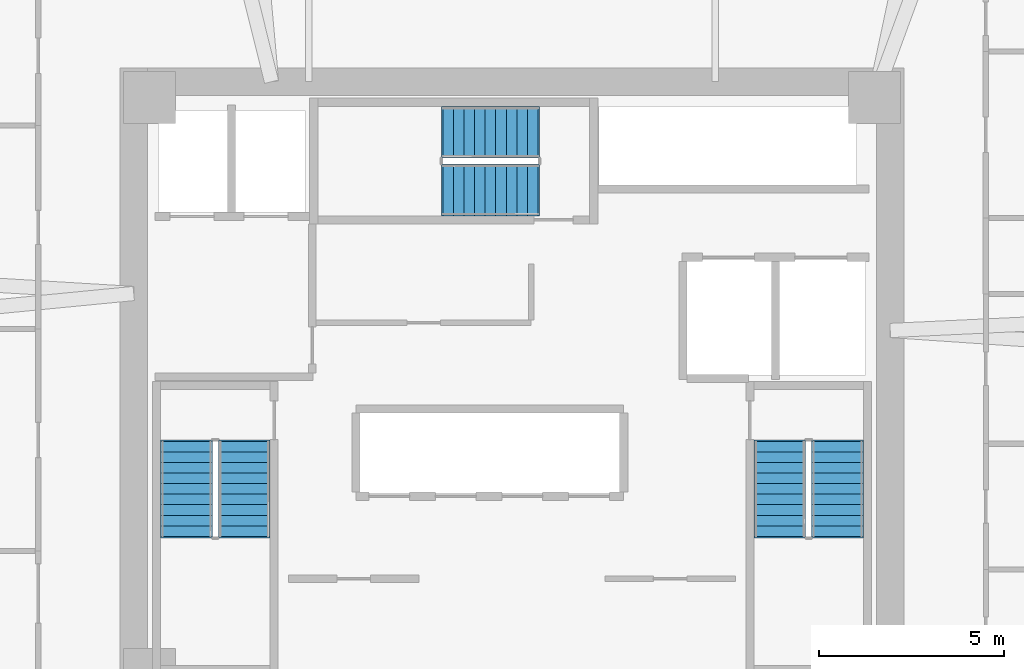
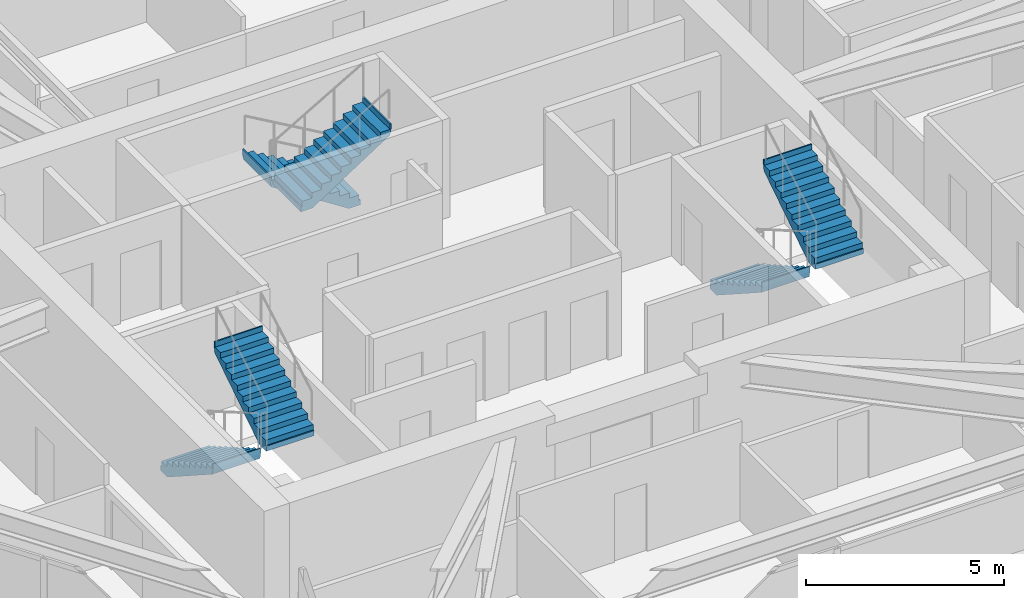
# One storey, part 13 of 14: 6 stair flights, 3 elements without a shape of their own.
"""IFC4 building model written with IfcOpenShell, lengths in metres."""

from ifc_helpers import new_model, si_unit, direction, frame, origin, place, context, subcontext, project, spatial, polyline, outline, extrude, material, type_object, element, aggregate, save


model = new_model("IFC4")

# Units and contexts
model_context = context("Model", 3, precision=1e-05, world=origin(), true_north=direction((0.0, 1.0)))
body_context = subcontext(model_context, "Body", "Model", "MODEL_VIEW")
ifc_project = project(units=[si_unit("LENGTHUNIT", "METRE"), si_unit("AREAUNIT", "SQUARE_METRE"), si_unit("VOLUMEUNIT", "CUBIC_METRE"), si_unit("PLANEANGLEUNIT", "RADIAN"), si_unit("MASSUNIT", "GRAM", prefix="KILO")], contexts=[model_context])

# Site, building, storey
site_placement = place(None, origin())
site = spatial("IfcSite", under=ifc_project, at=site_placement, CompositionType="ELEMENT")
building_placement = place(site_placement, origin())
building = spatial("IfcBuilding", under=site, at=building_placement, Name="Durnholm Broadcast Tower", CompositionType="ELEMENT")
storey_placement = place(building_placement, frame((0.0, 0.0, 114.0)))
storey = spatial("IfcBuildingStorey", under=building, at=storey_placement, Name="L30", CompositionType="ELEMENT", Elevation=114.0)

# Stair, stair flights
ifc_material = material(Name="Concrete C50/60", Category="concrete")
stair_type = type_object("IfcStairType", Name="STAIR-DL-20R1650", PredefinedType="HALF_TURN_STAIR", material=ifc_material)
stair_1_placement = place(storey_placement, origin())
stair_1 = element("IfcStair", 1, at=stair_1_placement, inside=storey, type_object=stair_type, Name="L30 ST-1", PredefinedType="HALF_TURN_STAIR")
stair_flight_type = type_object("IfcStairFlightType", Name="FLIGHT-DL-20R1650", PredefinedType="STRAIGHT", material=ifc_material)
stair_flight_1_placement = place(storey_placement, frame((-8.800048828125, -1.5, 0.0), z_axis=(0.0, 0.0, 1.0), x_axis=(0.0, -1.0, 0.0)))
stair_flight_1 = element("IfcStairFlight", 2, at=stair_flight_1_placement, type_object=stair_flight_type, Name="ST-1 flight 1", NumberOfRisers=10, NumberOfTreads=9, PredefinedType="STRAIGHT", RiserHeight=0.165, TreadLength=0.285, context=body_context, shape_type="SweptSolid", body=[
    extrude(outline(polyline([(-0.0400390625, -0.14990234375), (-0.0400390625, 0.0), (0.0, 0.0), (0.0, 0.1650390625), (0.284912109375, 0.1650390625), (0.284912109375, 0.330078125), (0.570068359375, 0.330078125), (0.570068359375, 0.4951171875), (0.85498046875, 0.4951171875), (0.85498046875, 0.659912109375), (1.139892578125, 0.659912109375), (1.139892578125, 0.824951171875), (1.425048828125, 0.824951171875), (1.425048828125, 0.989990234375), (1.7099609375, 0.989990234375), (1.7099609375, 1.155029296875), (1.9951171875, 1.155029296875), (1.9951171875, 1.320068359375), (2.280029296875, 1.320068359375), (2.280029296875, 1.485107421875), (2.56494140625, 1.485107421875), (2.56494140625, 1.64990234375), (2.60498046875, 1.64990234375), (2.60498046875, 1.5), (2.56494140625, 1.311767578125), (0.299072265625, -0.14990234375), (-0.0400390625, -0.14990234375)])), frame((0.0, 0.699951171875, 0.0), z_axis=(0.0, -1.0, 0.0), x_axis=(1.0, 0.0, 0.0)), (0.0, 0.0, 1.0), 1.39990234375),
])
stair_flight_2_placement = place(storey_placement, frame((-7.239990234375, -4.06494140625, 1.64990234375), z_axis=(0.0, 0.0, 1.0), x_axis=(0.0, 1.0, 0.0)))
stair_flight_2 = element("IfcStairFlight", 3, at=stair_flight_2_placement, type_object=stair_flight_type, Name="ST-1 flight 2", NumberOfRisers=10, NumberOfTreads=9, PredefinedType="STRAIGHT", RiserHeight=0.165, TreadLength=0.285, context=body_context, shape_type="SweptSolid", body=[
    extrude(outline(polyline([(-0.0400390625, -0.14990234375), (-0.0400390625, 0.0), (0.0, 0.0), (0.0, 0.1650390625), (0.284912109375, 0.1650390625), (0.284912109375, 0.330078125), (0.570068359375, 0.330078125), (0.570068359375, 0.4951171875), (0.85498046875, 0.4951171875), (0.85498046875, 0.659912109375), (1.139892578125, 0.659912109375), (1.139892578125, 0.824951171875), (1.425048828125, 0.824951171875), (1.425048828125, 0.989990234375), (1.7099609375, 0.989990234375), (1.7099609375, 1.155029296875), (1.9951171875, 1.155029296875), (1.9951171875, 1.320068359375), (2.280029296875, 1.320068359375), (2.280029296875, 1.485107421875), (2.56494140625, 1.485107421875), (2.56494140625, 1.64990234375), (2.60498046875, 1.64990234375), (2.60498046875, 1.5), (2.56494140625, 1.311767578125), (0.299072265625, -0.14990234375), (-0.0400390625, -0.14990234375)])), frame((0.0, 0.699951171875, 0.0), z_axis=(0.0, -1.0, 0.0), x_axis=(1.0, 0.0, 0.0)), (0.0, 0.0, 1.0), 1.39990234375),
])
aggregate(stair_1, [stair_flight_1, stair_flight_2])

stair_2_placement = place(storey_placement, origin())
stair_2 = element("IfcStair", 4, at=stair_2_placement, inside=storey, type_object=stair_type, Name="L30 ST-2", PredefinedType="HALF_TURN_STAIR")
stair_flight_3_placement = place(storey_placement, frame((7.239990234375, -1.5, 0.0), z_axis=(0.0, 0.0, 1.0), x_axis=(0.0, -1.0, 0.0)))
stair_flight_3 = element("IfcStairFlight", 5, at=stair_flight_3_placement, type_object=stair_flight_type, Name="ST-2 flight 1", NumberOfRisers=10, NumberOfTreads=9, PredefinedType="STRAIGHT", RiserHeight=0.165, TreadLength=0.285, context=body_context, shape_type="SweptSolid", body=[
    extrude(outline(polyline([(-0.0400390625, -0.14990234375), (-0.0400390625, 0.0), (0.0, 0.0), (0.0, 0.1650390625), (0.284912109375, 0.1650390625), (0.284912109375, 0.330078125), (0.570068359375, 0.330078125), (0.570068359375, 0.4951171875), (0.85498046875, 0.4951171875), (0.85498046875, 0.659912109375), (1.139892578125, 0.659912109375), (1.139892578125, 0.824951171875), (1.425048828125, 0.824951171875), (1.425048828125, 0.989990234375), (1.7099609375, 0.989990234375), (1.7099609375, 1.155029296875), (1.9951171875, 1.155029296875), (1.9951171875, 1.320068359375), (2.280029296875, 1.320068359375), (2.280029296875, 1.485107421875), (2.56494140625, 1.485107421875), (2.56494140625, 1.64990234375), (2.60498046875, 1.64990234375), (2.60498046875, 1.5), (2.56494140625, 1.311767578125), (0.299072265625, -0.14990234375), (-0.0400390625, -0.14990234375)])), frame((0.0, 0.699951171875, 0.0), z_axis=(0.0, -1.0, 0.0), x_axis=(1.0, 0.0, 0.0)), (0.0, 0.0, 1.0), 1.39990234375),
])
stair_flight_4_placement = place(storey_placement, frame((8.800048828125, -4.06494140625, 1.64990234375), z_axis=(0.0, 0.0, 1.0), x_axis=(0.0, 1.0, 0.0)))
stair_flight_4 = element("IfcStairFlight", 6, at=stair_flight_4_placement, type_object=stair_flight_type, Name="ST-2 flight 2", NumberOfRisers=10, NumberOfTreads=9, PredefinedType="STRAIGHT", RiserHeight=0.165, TreadLength=0.285, context=body_context, shape_type="SweptSolid", body=[
    extrude(outline(polyline([(-0.0400390625, -0.14990234375), (-0.0400390625, 0.0), (0.0, 0.0), (0.0, 0.1650390625), (0.284912109375, 0.1650390625), (0.284912109375, 0.330078125), (0.570068359375, 0.330078125), (0.570068359375, 0.4951171875), (0.85498046875, 0.4951171875), (0.85498046875, 0.659912109375), (1.139892578125, 0.659912109375), (1.139892578125, 0.824951171875), (1.425048828125, 0.824951171875), (1.425048828125, 0.989990234375), (1.7099609375, 0.989990234375), (1.7099609375, 1.155029296875), (1.9951171875, 1.155029296875), (1.9951171875, 1.320068359375), (2.280029296875, 1.320068359375), (2.280029296875, 1.485107421875), (2.56494140625, 1.485107421875), (2.56494140625, 1.64990234375), (2.60498046875, 1.64990234375), (2.60498046875, 1.5), (2.56494140625, 1.311767578125), (0.299072265625, -0.14990234375), (-0.0400390625, -0.14990234375)])), frame((0.0, 0.699951171875, 0.0), z_axis=(0.0, -1.0, 0.0), x_axis=(1.0, 0.0, 0.0)), (0.0, 0.0, 1.0), 1.39990234375),
])
aggregate(stair_2, [stair_flight_3, stair_flight_4])

stair_3_placement = place(storey_placement, origin())
stair_3 = element("IfcStair", 7, at=stair_3_placement, inside=storey, type_object=stair_type, Name="L30 ST-3", PredefinedType="HALF_TURN_STAIR")
stair_flight_5_placement = place(storey_placement, frame((0.699951171875, 6.860107421875, 0.0), z_axis=(0.0, 0.0, 1.0), x_axis=(-1.0, 0.0, 0.0)))
stair_flight_5 = element("IfcStairFlight", 8, at=stair_flight_5_placement, type_object=stair_flight_type, Name="ST-3 flight 1", NumberOfRisers=10, NumberOfTreads=9, PredefinedType="STRAIGHT", RiserHeight=0.165, TreadLength=0.285, context=body_context, shape_type="SweptSolid", body=[
    extrude(outline(polyline([(-0.0400390625, -0.14990234375), (-0.0400390625, 0.0), (0.0, 0.0), (0.0, 0.1650390625), (0.284912109375, 0.1650390625), (0.284912109375, 0.330078125), (0.570068359375, 0.330078125), (0.570068359375, 0.4951171875), (0.85498046875, 0.4951171875), (0.85498046875, 0.659912109375), (1.139892578125, 0.659912109375), (1.139892578125, 0.824951171875), (1.425048828125, 0.824951171875), (1.425048828125, 0.989990234375), (1.7099609375, 0.989990234375), (1.7099609375, 1.155029296875), (1.9951171875, 1.155029296875), (1.9951171875, 1.320068359375), (2.280029296875, 1.320068359375), (2.280029296875, 1.485107421875), (2.56494140625, 1.485107421875), (2.56494140625, 1.64990234375), (2.60498046875, 1.64990234375), (2.60498046875, 1.5), (2.56494140625, 1.311767578125), (0.299072265625, -0.14990234375), (-0.0400390625, -0.14990234375)])), frame((0.0, 0.699951171875, 0.0), z_axis=(0.0, -1.0, 0.0), x_axis=(1.0, 0.0, 0.0)), (0.0, 0.0, 1.0), 1.39990234375),
])
stair_flight_6_placement = place(storey_placement, frame((-1.864990234375, 5.300048828125, 1.64990234375), z_axis=(0.0, 0.0, 1.0), x_axis=(1.0, 0.0, 0.0)))
stair_flight_6 = element("IfcStairFlight", 9, at=stair_flight_6_placement, type_object=stair_flight_type, Name="ST-3 flight 2", NumberOfRisers=10, NumberOfTreads=9, PredefinedType="STRAIGHT", RiserHeight=0.165, TreadLength=0.285, context=body_context, shape_type="SweptSolid", body=[
    extrude(outline(polyline([(-0.0400390625, -0.14990234375), (-0.0400390625, 0.0), (0.0, 0.0), (0.0, 0.1650390625), (0.284912109375, 0.1650390625), (0.284912109375, 0.330078125), (0.570068359375, 0.330078125), (0.570068359375, 0.4951171875), (0.85498046875, 0.4951171875), (0.85498046875, 0.659912109375), (1.139892578125, 0.659912109375), (1.139892578125, 0.824951171875), (1.425048828125, 0.824951171875), (1.425048828125, 0.989990234375), (1.7099609375, 0.989990234375), (1.7099609375, 1.155029296875), (1.9951171875, 1.155029296875), (1.9951171875, 1.320068359375), (2.280029296875, 1.320068359375), (2.280029296875, 1.485107421875), (2.56494140625, 1.485107421875), (2.56494140625, 1.64990234375), (2.60498046875, 1.64990234375), (2.60498046875, 1.5), (2.56494140625, 1.311767578125), (0.299072265625, -0.14990234375), (-0.0400390625, -0.14990234375)])), frame((0.0, 0.699951171875, 0.0), z_axis=(0.0, -1.0, 0.0), x_axis=(1.0, 0.0, 0.0)), (0.0, 0.0, 1.0), 1.39990234375),
])
aggregate(stair_3, [stair_flight_5, stair_flight_6])

save(model, "model.ifc")
